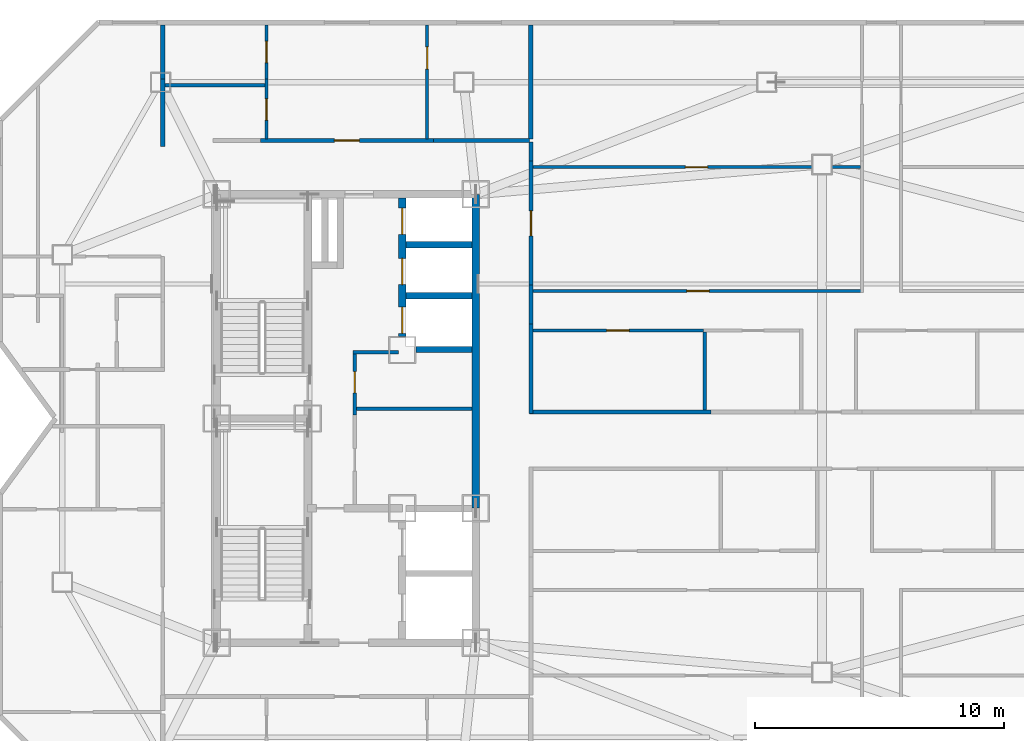
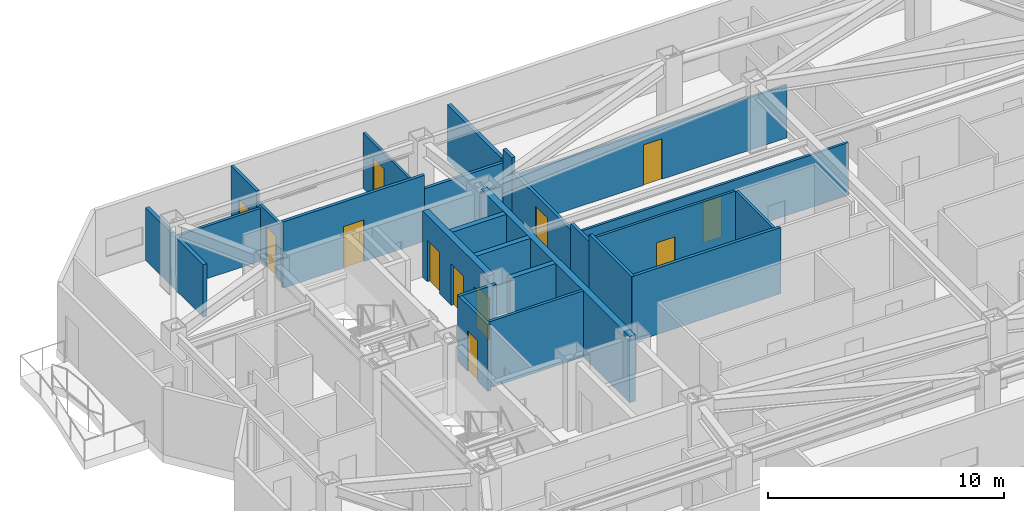
# One storey, part 6 of 10: 26 walls, 12 doors, 12 openings.
"""IFC4 building model written with IfcOpenShell, lengths in metres."""

import ifcopenshell
import ifcopenshell.guid

model = None  # the IFC model being written
_history = None  # IfcOwnerHistory: only IFC2X3 demands one
_inside = {}  # id of a spatial element -> (the spatial element, [elements in it])
_under = {}  # id of a project, library or spatial element -> (it, [spatial elements below it])
_declared = {}  # id of a project -> (the project, [libraries it declares])
_typed = {}  # id of a type object -> (the type object, [elements of that type])
_made_of = {}  # id of a material, layer set ... -> (it, [elements and type objects made of it])


def new_model(schema):
    """Start an empty IFC model of exactly this schema.

    Asked for "IFC4X3", IfcOpenShell would pick the latest addendum, in which some entities
    have other attributes; the version numbers below select the first issue.
    IFC2X3 requires an IfcOwnerHistory on every rooted entity: one is made here for all.
    """
    global model, _history
    if schema == "IFC4X3":
        model = ifcopenshell.file(schema_version=(4, 3, 0, 0))
    else:
        model = ifcopenshell.file(schema=schema)
    _inside.clear()
    _under.clear()
    _declared.clear()
    _typed.clear()
    _made_of.clear()
    _history = None
    if model.schema == "IFC2X3":
        org = make("IfcOrganization", Name="unknown")
        user = make(
            "IfcPersonAndOrganization",
            ThePerson=make("IfcPerson", FamilyName="unknown"),
            TheOrganization=org,
        )
        app = make(
            "IfcApplication",
            ApplicationDeveloper=org,
            Version="unknown",
            ApplicationFullName="unknown",
            ApplicationIdentifier="unknown",
        )
        _history = make(
            "IfcOwnerHistory",
            OwningUser=user,
            OwningApplication=app,
            ChangeAction="ADDED",
            CreationDate=0,
        )
    return model


def make(cls, **values):
    """One entity of the class cls with the attributes given. An attribute that is None is left unset."""
    return model.create_entity(
        cls, **{name: value for name, value in values.items() if value is not None}
    )


def rooted(cls, **values):
    """An entity with a GlobalId (a new one), such as an element, a storey or a relation."""
    return make(cls, GlobalId=ifcopenshell.guid.new(), OwnerHistory=_history, **values)


def si_unit(unit_type, name, prefix=None):
    """IfcSIUnit, for example si_unit("LENGTHUNIT", "METRE", prefix="MILLI")."""
    return make("IfcSIUnit", UnitType=unit_type, Prefix=prefix, Name=name)


def assignment(units):
    """IfcUnitAssignment: the units of a project."""
    return None if units is None else make("IfcUnitAssignment", Units=units)


def point(xyz):
    """IfcCartesianPoint."""
    return None if xyz is None else make("IfcCartesianPoint", Coordinates=xyz)


def direction(xyz):
    """IfcDirection."""
    return None if xyz is None else make("IfcDirection", DirectionRatios=xyz)


def frame(location, z_axis=None, x_axis=None):
    """IfcAxis2Placement3D, a coordinate frame: its origin and axes. An axis left out is left unset."""
    return make(
        "IfcAxis2Placement3D",
        Location=point(location),
        Axis=direction(z_axis),
        RefDirection=direction(x_axis),
    )


def frame_2d(location, x_axis=None):
    """IfcAxis2Placement2D, a coordinate frame in the plane: its origin and x axis."""
    return make(
        "IfcAxis2Placement2D", Location=point(location), RefDirection=direction(x_axis)
    )


def origin():
    """The frame at (0, 0, 0) with its axes left unset."""
    return frame((0.0, 0.0, 0.0))


def place(relative_to, where):
    """IfcLocalPlacement: puts the frame where relative to a parent placement (None: the world)."""
    return make(
        "IfcLocalPlacement", PlacementRelTo=relative_to, RelativePlacement=where
    )


def context(
    kind, dimensions, precision=None, world=None, true_north=None, identifier=None
):
    """IfcGeometricRepresentationContext, for example the 3D "Model" context."""
    return make(
        "IfcGeometricRepresentationContext",
        ContextIdentifier=identifier,
        ContextType=kind,
        CoordinateSpaceDimension=dimensions,
        Precision=precision,
        WorldCoordinateSystem=world,
        TrueNorth=true_north,
    )


def subcontext(parent, identifier, kind, view, scale=None):
    """IfcGeometricRepresentationSubContext, for example "Body" below "Model"."""
    return make(
        "IfcGeometricRepresentationSubContext",
        ContextIdentifier=identifier,
        ContextType=kind,
        ParentContext=parent,
        TargetScale=scale,
        TargetView=view,
    )


def project(units=None, contexts=None):
    """IfcProject with its units and contexts."""
    return rooted(
        "IfcProject",
        Name="project",
        RepresentationContexts=contexts,
        UnitsInContext=assignment(units),
    )


def spatial(cls, under=None, at=None, **own):
    """A site, building, storey or space (cls), placed at a placement, below another one or the project."""
    s = rooted(cls, ObjectPlacement=at, **own)
    if under is not None:
        _under.setdefault(under.id(), (under, []))[1].append(s)
    return s


def profile(cls, at=None, kind="AREA", **sizes):
    """A parametric profile (cls). Its sizes go by their IFC names, for example OverallWidth=200.0."""
    return make(cls, ProfileType=kind, Position=at, **sizes)


def rectangle(**sizes):
    """IfcRectangleProfileDef."""
    return profile("IfcRectangleProfileDef", **sizes)


def extrude(swept, where, along, depth):
    """IfcExtrudedAreaSolid: the profile swept, set in the frame where, extruded along a direction by depth."""
    return make(
        "IfcExtrudedAreaSolid",
        SweptArea=swept,
        Position=where,
        ExtrudedDirection=direction(along),
        Depth=depth,
    )


def shape(context_of_items, identifier, shape_type, items):
    """IfcShapeRepresentation: the items that make up one representation, for example the "Body"."""
    return make(
        "IfcShapeRepresentation",
        ContextOfItems=context_of_items,
        RepresentationIdentifier=identifier,
        RepresentationType=shape_type,
        Items=items,
    )


def material(Name=None, Category=None):
    """IfcMaterial."""
    return make("IfcMaterial", Name=Name, Category=Category)


def layer(
    of_material, thickness, ventilated=None, Name=None, Category=None, Priority=None
):
    """IfcMaterialLayer: one layer of a wall or slab, of a material (None: an air gap)."""
    return make(
        "IfcMaterialLayer",
        Material=of_material,
        LayerThickness=thickness,
        IsVentilated=ventilated,
        Name=Name,
        Category=Category,
        Priority=Priority,
    )


def layer_set(layers, Name=None):
    """IfcMaterialLayerSet."""
    return make("IfcMaterialLayerSet", MaterialLayers=layers, LayerSetName=Name)


def made_of(thing, what):
    """Note that an element or type object is made of a material, layer set ...; save() writes the relation."""
    if what is not None:
        _made_of.setdefault(what.id(), (what, []))[1].append(thing)
    return thing


def type_object(cls, material=None, **own):
    """A type object (cls), such as IfcWallType, which elements share."""
    return made_of(rooted(cls, **own), material)


def element(
    cls,
    number,
    at=None,
    inside=None,
    cuts=None,
    type_object=None,
    material=None,
    context=None,
    identifier="Body",
    shape_type=None,
    held_by="IfcProductDefinitionShape",
    body=None,
    shapes=None,
    **own,
):
    """One element of the class cls, such as IfcWall. Its Tag is "e" and its number.

    at: its placement. inside: the storey or other place that contains it. cuts: it is an
    opening in that element (IfcRelVoidsElement). A single representation is given by context,
    identifier, shape_type and body (its items); several are given by shapes. held_by: the class
    of the entity that holds the representations. save() writes the other relations.
    """
    e = rooted(cls, Tag="e%d" % number, ObjectPlacement=at, **own)
    if body is not None:
        shapes = [shape(context, identifier, shape_type, body)]
    if shapes is not None:
        e.Representation = make(held_by, Representations=shapes)
    if inside is not None:
        _inside.setdefault(inside.id(), (inside, []))[1].append(e)
    if cuts is not None:
        rooted(
            "IfcRelVoidsElement", RelatingBuildingElement=cuts, RelatedOpeningElement=e
        )
    if type_object is not None:
        _typed.setdefault(type_object.id(), (type_object, []))[1].append(e)
    return made_of(e, material)


def fill(opening, filler):
    """IfcRelFillsElement: the door or window that sits in an opening."""
    return rooted(
        "IfcRelFillsElement",
        RelatingOpeningElement=opening,
        RelatedBuildingElement=filler,
    )


def aggregate(whole, parts):
    """IfcRelAggregates: a whole, such as a stair, and the parts it consists of."""
    return rooted("IfcRelAggregates", RelatingObject=whole, RelatedObjects=parts)


def save(model, path):
    """Write the relations noted so far, then the file.

    IfcRelAggregates (storeys below a building ...), IfcRelContainedInSpatialStructure (elements
    in a storey), IfcRelDefinesByType, IfcRelAssociatesMaterial and IfcRelDeclares: one each for
    every whole, place, type object, material and project.
    """
    for whole, parts in _under.values():
        aggregate(whole, parts)
    for where, things in _inside.values():
        rooted(
            "IfcRelContainedInSpatialStructure",
            RelatedElements=things,
            RelatingStructure=where,
        )
    for kind, things in _typed.values():
        rooted("IfcRelDefinesByType", RelatedObjects=things, RelatingType=kind)
    for what, things in _made_of.values():
        rooted("IfcRelAssociatesMaterial", RelatedObjects=things, RelatingMaterial=what)
    for by, libraries in _declared.values():
        rooted("IfcRelDeclares", RelatingContext=by, RelatedDefinitions=libraries)
    model.write(path)


model = new_model("IFC4")

# Units and contexts
model_context = context("Model", 3, precision=1e-05, world=origin(), true_north=direction((0.0, 1.0)))
body_context = subcontext(model_context, "Body", "Model", "MODEL_VIEW")
ifc_project = project(units=[si_unit("LENGTHUNIT", "METRE"), si_unit("AREAUNIT", "SQUARE_METRE"), si_unit("VOLUMEUNIT", "CUBIC_METRE"), si_unit("PLANEANGLEUNIT", "RADIAN"), si_unit("MASSUNIT", "GRAM", prefix="KILO")], contexts=[model_context])

# Site, building, storey
site_placement = place(None, origin())
site = spatial("IfcSite", under=ifc_project, at=site_placement, CompositionType="ELEMENT")
building_placement = place(site_placement, origin())
building = spatial("IfcBuilding", under=site, at=building_placement, Name="Khamvora Tower", CompositionType="ELEMENT")
storey_placement = place(building_placement, frame((0.0, 0.0, 217.199951171875)))
storey = spatial("IfcBuildingStorey", under=building, at=storey_placement, Name="L55", CompositionType="ELEMENT", Elevation=217.199951171875)

# Wall
ifc_material_1 = material(Name="Concrete C50/60", Category="concrete")
ifc_layer_1 = layer(ifc_material_1, 0.300048828125)
ifc_layer_set_1 = layer_set([ifc_layer_1], Name="Concrete C50/60")
wall_type_1 = type_object("IfcWallType", Name="WAL-CORE-300", PredefinedType="SHEAR", material=ifc_layer_set_1)
wall_1_placement = place(storey_placement, frame((39.39990234375, 24.39990234375, 0.0), z_axis=(0.0, 0.0, 1.0), x_axis=(0.0, 1.0, 0.0)))
element("IfcWall", 1, at=wall_1_placement, inside=storey, type_object=wall_type_1, Name="L55 central core east north wall", PredefinedType="SHEAR", context=body_context, shape_type="SweptSolid", body=[
    extrude(rectangle(XDim=12.60009765625, YDim=0.300048828125, at=frame_2d((6.300048828125, 0.0))), origin(), (0.0, 0.0, 1.0), 3.429931640625),
])

# Wall, openings, doors
wall_2_placement = place(storey_placement, frame((36.449951171875, 31.300048828125, 0.0), z_axis=(0.0, 0.0, 1.0), x_axis=(0.0, 1.0, 0.0)))
wall_2 = element("IfcWall", 2, at=wall_2_placement, inside=storey, type_object=wall_type_1, Name="L55 central core lift bank central wall", PredefinedType="SHEAR", context=body_context, shape_type="SweptSolid", body=[
    extrude(rectangle(XDim=5.5458984375, YDim=0.300048828125, at=frame_2d((2.77294921875, 0.0))), origin(), (0.0, 0.0, 1.0), 3.429931640625),
])
opening_1_placement = place(wall_2_placement, frame((0.1201171875, 0.0, 0.0)))
opening_1 = element("IfcOpeningElement", 3, at=opening_1_placement, cuts=wall_2, Name="Opening LD-PL", PredefinedType="OPENING", context=body_context, shape_type="SweptSolid", body=[
    extrude(rectangle(XDim=1.050048828125, YDim=2.14990234375, at=frame_2d((0.52490234375, 1.074951171875))), frame((0.0, 0.159912109375, 0.0), z_axis=(0.0, -1.0, 0.0), x_axis=(1.0, 0.0, 0.0)), (0.0, 0.0, 1.0), 0.320068359375),
])
opening_2_placement = place(wall_2_placement, frame((2.074951171875, 0.0, 0.0)))
opening_2 = element("IfcOpeningElement", 4, at=opening_2_placement, cuts=wall_2, Name="Opening LD-PL", PredefinedType="OPENING", context=body_context, shape_type="SweptSolid", body=[
    extrude(rectangle(XDim=1.050048828125, YDim=2.14990234375, at=frame_2d((0.52490234375, 1.074951171875))), frame((0.0, 0.159912109375, 0.0), z_axis=(0.0, -1.0, 0.0), x_axis=(1.0, 0.0, 0.0)), (0.0, 0.0, 1.0), 0.320068359375),
])
opening_3_placement = place(wall_2_placement, frame((4.094970703125, 0.0, 0.0)))
opening_3 = element("IfcOpeningElement", 5, at=opening_3_placement, cuts=wall_2, Name="Opening LD-PL", PredefinedType="OPENING", context=body_context, shape_type="SweptSolid", body=[
    extrude(rectangle(XDim=1.050048828125, YDim=2.14990234375, at=frame_2d((0.52490234375, 1.074951171875))), frame((0.0, 0.159912109375, 0.0), z_axis=(0.0, -1.0, 0.0), x_axis=(1.0, 0.0, 0.0)), (0.0, 0.0, 1.0), 0.320068359375),
])
ifc_material_2 = material(Name="Powder-Coated Steel and Hardwood Leaf", Category="steel")
door_type_1 = type_object("IfcDoorType", Name="DOR-LIFT-1050", OperationType="SLIDING_TO_LEFT", PredefinedType="DOOR", material=ifc_material_2)
door_1_placement = place(opening_1_placement, origin())
door_1 = element("IfcDoor", 6, at=door_1_placement, inside=storey, type_object=door_type_1, Name="L55 lift landing sliding door PH-01", OperationType="SLIDING_TO_LEFT", OverallHeight=2.14990234375, OverallWidth=1.050048828125, PredefinedType="DOOR", context=body_context, shape_type="SweptSolid", body=[
    extrude(rectangle(XDim=1.050048828125, YDim=2.14990234375, at=frame_2d((0.52490234375, 1.074951171875))), frame((0.0, 0.02490234375, 0.0), z_axis=(0.0, -1.0, 0.0), x_axis=(1.0, 0.0, 0.0)), (0.0, 0.0, 1.0), 0.050048828125),
])
fill(opening_1, door_1)
door_2_placement = place(opening_2_placement, origin())
door_2 = element("IfcDoor", 7, at=door_2_placement, inside=storey, type_object=door_type_1, Name="L55 lift landing sliding door PH-02", OperationType="SLIDING_TO_LEFT", OverallHeight=2.14990234375, OverallWidth=1.050048828125, PredefinedType="DOOR", context=body_context, shape_type="SweptSolid", body=[
    extrude(rectangle(XDim=1.050048828125, YDim=2.14990234375, at=frame_2d((0.52490234375, 1.074951171875))), frame((0.0, 0.02490234375, 0.0), z_axis=(0.0, -1.0, 0.0), x_axis=(1.0, 0.0, 0.0)), (0.0, 0.0, 1.0), 0.050048828125),
])
fill(opening_2, door_2)
door_3_placement = place(opening_3_placement, origin())
door_3 = element("IfcDoor", 8, at=door_3_placement, inside=storey, type_object=door_type_1, Name="L55 lift landing sliding door PH-03", OperationType="SLIDING_TO_LEFT", OverallHeight=2.14990234375, OverallWidth=1.050048828125, PredefinedType="DOOR", context=body_context, shape_type="SweptSolid", body=[
    extrude(rectangle(XDim=1.050048828125, YDim=2.14990234375, at=frame_2d((0.52490234375, 1.074951171875))), frame((0.0, 0.02490234375, 0.0), z_axis=(0.0, -1.0, 0.0), x_axis=(1.0, 0.0, 0.0)), (0.0, 0.0, 1.0), 0.050048828125),
])
fill(opening_3, door_3)

# Wall
ifc_material_3 = material(Name="Fire-Rated Drywall and Steel Stud", Category="steel")
ifc_layer_2 = layer(ifc_material_3, 0.14990234375)
ifc_layer_set_2 = layer_set([ifc_layer_2], Name="Fire-Rated Drywall and Steel Stud")
wall_type_2 = type_object("IfcWallType", Name="WAL-CORR-150", PredefinedType="STANDARD", material=ifc_layer_set_2)
wall_3_placement = place(storey_placement, frame((36.300048828125, 30.6650390625, 0.0), z_axis=(0.0, 0.0, 1.0), x_axis=(-1.0, 0.0, 0.0)))
element("IfcWall", 9, at=wall_3_placement, inside=storey, type_object=wall_type_2, Name="L55 interior partition wall 001", PredefinedType="STANDARD", context=body_context, shape_type="SweptSolid", body=[
    extrude(rectangle(XDim=1.820068359375, YDim=0.14990234375, at=frame_2d((0.91015625, 0.0))), origin(), (0.0, 0.0, 1.0), 3.429931640625),
])

# Wall, opening, door
wall_4_placement = place(storey_placement, frame((34.544921875, 30.72998046875, 0.0), z_axis=(0.0, 0.0, 1.0), x_axis=(0.0, -1.0, 0.0)))
wall_4 = element("IfcWall", 10, at=wall_4_placement, inside=storey, type_object=wall_type_2, Name="L55 interior partition wall 002", PredefinedType="STANDARD", context=body_context, shape_type="SweptSolid", body=[
    extrude(rectangle(XDim=2.593994140625, YDim=0.14990234375, at=frame_2d((1.296875, 0.0))), origin(), (0.0, 0.0, 1.0), 3.429931640625),
])
opening_4_placement = place(wall_4_placement, frame((0.85107421875, 0.0, 0.0)))
opening_4 = element("IfcOpeningElement", 11, at=opening_4_placement, cuts=wall_4, Name="Opening D-WC1", PredefinedType="OPENING", context=body_context, shape_type="SweptSolid", body=[
    extrude(rectangle(XDim=0.85009765625, YDim=2.10009765625, at=frame_2d((0.425048828125, 1.050048828125))), frame((0.0, 0.0849609375, 0.0), z_axis=(0.0, -1.0, 0.0), x_axis=(1.0, 0.0, 0.0)), (0.0, 0.0, 1.0), 0.169921875),
])
door_type_2 = type_object("IfcDoorType", Name="DOR-WET-850", OperationType="NOTDEFINED", PredefinedType="DOOR", material=ifc_material_2)
door_4_placement = place(opening_4_placement, origin())
door_4 = element("IfcDoor", 12, at=door_4_placement, inside=storey, type_object=door_type_2, Name="L55 interior door PHL-CS1", OperationType="SINGLE_SWING_LEFT", OverallHeight=2.10009765625, OverallWidth=0.85009765625, PredefinedType="DOOR", context=body_context, shape_type="SweptSolid", body=[
    extrude(rectangle(XDim=0.85009765625, YDim=2.10009765625, at=frame_2d((0.425048828125, 1.050048828125))), frame((0.0, 0.02490234375, 0.0), z_axis=(0.0, -1.0, 0.0), x_axis=(1.0, 0.0, 0.0)), (0.0, 0.0, 1.0), 0.050048828125),
])
fill(opening_4, door_4)

wall_5_placement = place(storey_placement, frame((30.7509765625, 39.1650390625, 0.0), z_axis=(0.0, 0.0, 1.0), x_axis=(1.0, 0.0, 0.0)))
wall_5 = element("IfcWall", 13, at=wall_5_placement, inside=storey, type_object=wall_type_2, Name="L55 interior partition wall 015", PredefinedType="STANDARD", context=body_context, shape_type="SweptSolid", body=[
    extrude(rectangle(XDim=6.947998046875, YDim=0.14990234375, at=frame_2d((3.47412109375, 0.0))), origin(), (0.0, 0.0, 1.0), 3.429931640625),
])
opening_5_placement = place(wall_5_placement, frame((2.97412109375, 0.0, 0.0)))
opening_5 = element("IfcOpeningElement", 14, at=opening_5_placement, cuts=wall_5, Name="Opening D-U1", PredefinedType="OPENING", context=body_context, shape_type="SweptSolid", body=[
    extrude(rectangle(XDim=1.0, YDim=2.14990234375, at=frame_2d((0.5, 1.074951171875))), frame((0.0, 0.0849609375, 0.0), z_axis=(0.0, -1.0, 0.0), x_axis=(1.0, 0.0, 0.0)), (0.0, 0.0, 1.0), 0.169921875),
])
door_type_3 = type_object("IfcDoorType", Name="DOR-UNIT-1000", OperationType="NOTDEFINED", PredefinedType="DOOR", material=ifc_material_2)
door_5_placement = place(opening_5_placement, origin())
door_5 = element("IfcDoor", 15, at=door_5_placement, inside=storey, type_object=door_type_3, Name="L55 interior door COR-55NAH", OperationType="SINGLE_SWING_LEFT", OverallHeight=2.14990234375, OverallWidth=1.0, PredefinedType="DOOR", context=body_context, shape_type="SweptSolid", body=[
    extrude(rectangle(XDim=1.0, YDim=2.14990234375, at=frame_2d((0.5, 1.074951171875))), frame((0.0, 0.02490234375, 0.0), z_axis=(0.0, -1.0, 0.0), x_axis=(1.0, 0.0, 0.0)), (0.0, 0.0, 1.0), 0.050048828125),
])
fill(opening_5, door_5)

# Walls
wall_6_placement = place(storey_placement, frame((37.698974609375, 39.1650390625, 0.0), z_axis=(0.0, 0.0, 1.0), x_axis=(1.0, 0.0, 0.0)))
element("IfcWall", 16, at=wall_6_placement, inside=storey, type_object=wall_type_2, Name="L55 interior partition wall 017", PredefinedType="STANDARD", context=body_context, shape_type="SweptSolid", body=[
    extrude(rectangle(XDim=3.85107421875, YDim=0.14990234375, at=frame_2d((1.925537109375, 0.0))), origin(), (0.0, 0.0, 1.0), 2.72509765625),
])
wall_7_placement = place(storey_placement, frame((41.614990234375, 31.784912109375, 0.0), z_axis=(0.0, 0.0, 1.0), x_axis=(0.0, -1.0, 0.0)))
element("IfcWall", 17, at=wall_7_placement, inside=storey, type_object=wall_type_2, Name="L55 interior partition wall 027", PredefinedType="STANDARD", context=body_context, shape_type="SweptSolid", body=[
    extrude(rectangle(XDim=3.5849609375, YDim=0.14990234375, at=frame_2d((1.79248046875, 0.0))), origin(), (0.0, 0.0, 1.0), 3.429931640625),
])
wall_8_placement = place(storey_placement, frame((41.550048828125, 28.264892578125, 0.0), z_axis=(0.0, 0.0, 1.0), x_axis=(1.0, 0.0, 0.0)))
element("IfcWall", 18, at=wall_8_placement, inside=storey, type_object=wall_type_2, Name="L55 interior partition wall 028", PredefinedType="STANDARD", context=body_context, shape_type="SweptSolid", body=[
    extrude(rectangle(XDim=7.300048828125, YDim=0.14990234375, at=frame_2d((3.64990234375, 0.0))), origin(), (0.0, 0.0, 1.0), 3.429931640625),
])
wall_9_placement = place(storey_placement, frame((41.614990234375, 33.364990234375, 0.0), z_axis=(0.0, 0.0, 1.0), x_axis=(0.0, -1.0, 0.0)))
element("IfcWall", 19, at=wall_9_placement, inside=storey, type_object=wall_type_2, Name="L55 interior partition wall 030", PredefinedType="STANDARD", context=body_context, shape_type="SweptSolid", body=[
    extrude(rectangle(XDim=1.580078125, YDim=0.14990234375, at=frame_2d((0.7900390625, 0.0))), origin(), (0.0, 0.0, 1.0), 3.06494140625),
])

# Wall, opening, door
wall_10_placement = place(storey_placement, frame((41.614990234375, 38.342041015625, 0.0), z_axis=(0.0, 0.0, 1.0), x_axis=(0.0, -1.0, 0.0)))
wall_10 = element("IfcWall", 20, at=wall_10_placement, inside=storey, type_object=wall_type_2, Name="L55 interior partition wall 034", PredefinedType="STANDARD", context=body_context, shape_type="SweptSolid", body=[
    extrude(rectangle(XDim=4.97705078125, YDim=0.14990234375, at=frame_2d((2.488525390625, 0.0))), origin(), (0.0, 0.0, 1.0), 2.72509765625),
])
opening_6_placement = place(wall_10_placement, frame((2.010009765625, 0.0, 0.0)))
opening_6 = element("IfcOpeningElement", 21, at=opening_6_placement, cuts=wall_10, Name="Opening D-U1", PredefinedType="OPENING", context=body_context, shape_type="SweptSolid", body=[
    extrude(rectangle(XDim=1.0, YDim=2.14990234375, at=frame_2d((0.5, 1.074951171875))), frame((0.0, 0.0849609375, 0.0), z_axis=(0.0, -1.0, 0.0), x_axis=(1.0, 0.0, 0.0)), (0.0, 0.0, 1.0), 0.169921875),
])
door_6_placement = place(opening_6_placement, origin())
door_6 = element("IfcDoor", 22, at=door_6_placement, inside=storey, type_object=door_type_3, Name="L55 interior door COR-55EBR1", OperationType="SINGLE_SWING_RIGHT", OverallHeight=2.14990234375, OverallWidth=1.0, PredefinedType="DOOR", context=body_context, shape_type="SweptSolid", body=[
    extrude(rectangle(XDim=1.0, YDim=2.14990234375, at=frame_2d((0.5, 1.074951171875))), frame((0.0, 0.02490234375, 0.0), z_axis=(0.0, -1.0, 0.0), x_axis=(1.0, 0.0, 0.0)), (0.0, 0.0, 1.0), 0.050048828125),
])
fill(opening_6, door_6)

# Walls
wall_11_placement = place(storey_placement, frame((41.614990234375, 39.10009765625, 0.0), z_axis=(0.0, 0.0, 1.0), x_axis=(0.0, -1.0, 0.0)))
element("IfcWall", 23, at=wall_11_placement, inside=storey, type_object=wall_type_2, Name="L55 interior partition wall 035", PredefinedType="STANDARD", context=body_context, shape_type="SweptSolid", body=[
    extrude(rectangle(XDim=0.758056640625, YDim=0.14990234375, at=frame_2d((0.37890625, 0.0))), origin(), (0.0, 0.0, 1.0), 3.429931640625),
])
ifc_material_4 = material(Name="Acoustic Double-Stud Fire Wall", Category="gypsum")
ifc_layer_3 = layer(ifc_material_4, 0.179931640625)
ifc_layer_set_3 = layer_set([ifc_layer_3], Name="Acoustic Double-Stud Fire Wall")
wall_type_3 = type_object("IfcWallType", Name="WAL-CORR-180", PredefinedType="STANDARD", material=ifc_layer_set_3)
wall_12_placement = place(storey_placement, frame((26.8349609375, 41.62890625, 0.0), z_axis=(0.0, 0.0, 1.0), x_axis=(0.0, -1.0, 0.0)))
element("IfcWall", 24, at=wall_12_placement, inside=storey, type_object=wall_type_3, Name="L55 interior partition wall 049", PredefinedType="STANDARD", context=body_context, shape_type="SweptSolid", body=[
    extrude(rectangle(XDim=2.712890625, YDim=0.179931640625, at=frame_2d((1.3564453125, 0.0))), origin(), (0.0, 0.0, 1.0), 2.72509765625),
])
wall_13_placement = place(storey_placement, frame((26.8349609375, 43.80810546875, 0.0), z_axis=(0.0, 0.0, 1.0), x_axis=(0.0, -1.0, 0.0)))
element("IfcWall", 25, at=wall_13_placement, inside=storey, type_object=wall_type_3, Name="L55 interior partition wall 050", PredefinedType="STANDARD", context=body_context, shape_type="SweptSolid", body=[
    extrude(rectangle(XDim=2.17919921875, YDim=0.179931640625, at=frame_2d((1.089599609375, 0.0))), origin(), (0.0, 0.0, 1.0), 2.72509765625),
])
wall_14_placement = place(storey_placement, frame((41.614990234375, 43.80810546875, 0.0), z_axis=(0.0, 0.0, 1.0), x_axis=(0.0, -1.0, 0.0)))
element("IfcWall", 26, at=wall_14_placement, inside=storey, type_object=wall_type_3, Name="L55 interior partition wall 060", PredefinedType="STANDARD", context=body_context, shape_type="SweptSolid", body=[
    extrude(rectangle(XDim=4.578125, YDim=0.179931640625, at=frame_2d((2.2890625, 0.0))), origin(), (0.0, 0.0, 1.0), 2.886962890625),
])

# Wall, opening, door
ifc_material_5 = material(Name="Gypsum Plasterboard Partition", Category="gypsum")
ifc_layer_4 = layer(ifc_material_5, 0.1201171875)
ifc_layer_set_4 = layer_set([ifc_layer_4], Name="Gypsum Plasterboard Partition")
wall_type_4 = type_object("IfcWallType", Name="WAL-PART-120", PredefinedType="PARTITIONING", material=ifc_layer_set_4)
wall_15_placement = place(storey_placement, frame((37.449951171875, 43.80810546875, 0.0), z_axis=(0.0, 0.0, 1.0), x_axis=(0.0, -1.0, 0.0)))
wall_15 = element("IfcWall", 27, at=wall_15_placement, inside=storey, type_object=wall_type_4, Name="L55 interior partition wall 058", PredefinedType="PARTITIONING", context=body_context, shape_type="SweptSolid", body=[
    extrude(rectangle(XDim=4.576171875, YDim=0.1201171875, at=frame_2d((2.2880859375, 0.0))), origin(), (0.0, 0.0, 1.0), 2.886962890625),
])
opening_7_placement = place(wall_15_placement, frame((0.884033203125, 0.0, 0.0)))
opening_7 = element("IfcOpeningElement", 28, at=opening_7_placement, cuts=wall_15, Name="Opening D-RM1", PredefinedType="OPENING", context=body_context, shape_type="SweptSolid", body=[
    extrude(rectangle(XDim=0.89990234375, YDim=2.10009765625, at=frame_2d((0.449951171875, 1.050048828125))), frame((0.0, 0.070068359375, 0.0), z_axis=(0.0, -1.0, 0.0), x_axis=(1.0, 0.0, 0.0)), (0.0, 0.0, 1.0), 0.14013671875),
])
door_type_4 = type_object("IfcDoorType", Name="DOR-ROOM-900", OperationType="NOTDEFINED", PredefinedType="DOOR", material=ifc_material_2)
door_7_placement = place(opening_7_placement, origin())
door_7 = element("IfcDoor", 29, at=door_7_placement, inside=storey, type_object=door_type_4, Name="L55 interior door 55NAH-55NAR1", OperationType="SINGLE_SWING_RIGHT", OverallHeight=2.10009765625, OverallWidth=0.89990234375, PredefinedType="DOOR", context=body_context, shape_type="SweptSolid", body=[
    extrude(rectangle(XDim=0.89990234375, YDim=2.10009765625, at=frame_2d((0.449951171875, 1.050048828125))), frame((0.0, 0.02490234375, 0.0), z_axis=(0.0, -1.0, 0.0), x_axis=(1.0, 0.0, 0.0)), (0.0, 0.0, 1.0), 0.050048828125),
])
fill(opening_7, door_7)

wall_16_placement = place(storey_placement, frame((41.681884765625, 31.535888671875, 0.0), z_axis=(0.0, 0.0, 1.0), x_axis=(1.0, 0.0, 0.0)))
wall_16 = element("IfcWall", 30, at=wall_16_placement, inside=storey, type_object=wall_type_4, Name="L55 interior partition wall 077", PredefinedType="PARTITIONING", context=body_context, shape_type="SweptSolid", body=[
    extrude(rectangle(XDim=6.85400390625, YDim=0.1201171875, at=frame_2d((3.427001953125, 0.0))), origin(), (0.0, 0.0, 1.0), 3.429931640625),
])
opening_8_placement = place(wall_16_placement, frame((2.97705078125, 0.0, 0.0)))
opening_8 = element("IfcOpeningElement", 31, at=opening_8_placement, cuts=wall_16, Name="Opening D-RM1", PredefinedType="OPENING", context=body_context, shape_type="SweptSolid", body=[
    extrude(rectangle(XDim=0.89990234375, YDim=2.10009765625, at=frame_2d((0.449951171875, 1.050048828125))), frame((0.0, 0.070068359375, 0.0), z_axis=(0.0, -1.0, 0.0), x_axis=(1.0, 0.0, 0.0)), (0.0, 0.0, 1.0), 0.14013671875),
])
door_8_placement = place(opening_8_placement, origin())
door_8 = element("IfcDoor", 32, at=door_8_placement, inside=storey, type_object=door_type_4, Name="L55 interior door 55EBW1-55EBH", OperationType="SINGLE_SWING_LEFT", OverallHeight=2.10009765625, OverallWidth=0.89990234375, PredefinedType="DOOR", context=body_context, shape_type="SweptSolid", body=[
    extrude(rectangle(XDim=0.89990234375, YDim=2.10009765625, at=frame_2d((0.449951171875, 1.050048828125))), frame((0.0, 0.02490234375, 0.0), z_axis=(0.0, -1.0, 0.0), x_axis=(1.0, 0.0, 0.0)), (0.0, 0.0, 1.0), 0.050048828125),
])
fill(opening_8, door_8)

wall_17_placement = place(storey_placement, frame((41.681884765625, 33.115966796875, 0.0), z_axis=(0.0, 0.0, 1.0), x_axis=(1.0, 0.0, 0.0)))
wall_17 = element("IfcWall", 33, at=wall_17_placement, inside=storey, type_object=wall_type_4, Name="L55 interior partition wall 085", PredefinedType="PARTITIONING", context=body_context, shape_type="SweptSolid", body=[
    extrude(rectangle(XDim=13.283203125, YDim=0.1201171875, at=frame_2d((6.6416015625, 0.0))), origin(), (0.0, 0.0, 1.0), 2.72509765625),
])
opening_9_placement = place(wall_17_placement, frame((6.19091796875, 0.0, 0.0)))
opening_9 = element("IfcOpeningElement", 34, at=opening_9_placement, cuts=wall_17, Name="Opening D-RM1", PredefinedType="OPENING", context=body_context, shape_type="SweptSolid", body=[
    extrude(rectangle(XDim=0.89990234375, YDim=2.10009765625, at=frame_2d((0.449951171875, 1.050048828125))), frame((0.0, 0.070068359375, 0.0), z_axis=(0.0, -1.0, 0.0), x_axis=(1.0, 0.0, 0.0)), (0.0, 0.0, 1.0), 0.14013671875),
])
door_9_placement = place(opening_9_placement, origin())
door_9 = element("IfcDoor", 35, at=door_9_placement, inside=storey, type_object=door_type_4, Name="L55 interior door 55EBH-55EBR1", OperationType="SINGLE_SWING_LEFT", OverallHeight=2.10009765625, OverallWidth=0.89990234375, PredefinedType="DOOR", context=body_context, shape_type="SweptSolid", body=[
    extrude(rectangle(XDim=0.89990234375, YDim=2.10009765625, at=frame_2d((0.449951171875, 1.050048828125))), frame((0.0, 0.02490234375, 0.0), z_axis=(0.0, -1.0, 0.0), x_axis=(1.0, 0.0, 0.0)), (0.0, 0.0, 1.0), 0.050048828125),
])
fill(opening_9, door_9)

wall_18_placement = place(storey_placement, frame((41.681884765625, 38.093017578125, 0.0), z_axis=(0.0, 0.0, 1.0), x_axis=(1.0, 0.0, 0.0)))
wall_18 = element("IfcWall", 36, at=wall_18_placement, inside=storey, type_object=wall_type_4, Name="L55 interior partition wall 091", PredefinedType="PARTITIONING", context=body_context, shape_type="SweptSolid", body=[
    extrude(rectangle(XDim=13.1640625, YDim=0.1201171875, at=frame_2d((6.58203125, 0.0))), origin(), (0.0, 0.0, 1.0), 2.72509765625),
])
opening_10_placement = place(wall_18_placement, frame((6.132080078125, 0.0, 0.0)))
opening_10 = element("IfcOpeningElement", 37, at=opening_10_placement, cuts=wall_18, Name="Opening D-RM1", PredefinedType="OPENING", context=body_context, shape_type="SweptSolid", body=[
    extrude(rectangle(XDim=0.89990234375, YDim=2.10009765625, at=frame_2d((0.449951171875, 1.050048828125))), frame((0.0, 0.070068359375, 0.0), z_axis=(0.0, -1.0, 0.0), x_axis=(1.0, 0.0, 0.0)), (0.0, 0.0, 1.0), 0.14013671875),
])
door_10_placement = place(opening_10_placement, origin())
door_10 = element("IfcDoor", 38, at=door_10_placement, inside=storey, type_object=door_type_4, Name="L55 interior door 55EBR1-55EBR2", OperationType="SINGLE_SWING_LEFT", OverallHeight=2.10009765625, OverallWidth=0.89990234375, PredefinedType="DOOR", context=body_context, shape_type="SweptSolid", body=[
    extrude(rectangle(XDim=0.89990234375, YDim=2.10009765625, at=frame_2d((0.449951171875, 1.050048828125))), frame((0.0, 0.02490234375, 0.0), z_axis=(0.0, -1.0, 0.0), x_axis=(1.0, 0.0, 0.0)), (0.0, 0.0, 1.0), 0.050048828125),
])
fill(opening_10, door_10)

# Walls
ifc_material_6 = material(Name="Concrete C40/50", Category="concrete")
ifc_layer_5 = layer(ifc_material_6, 0.25)
ifc_layer_set_5 = layer_set([ifc_layer_5], Name="Concrete C40/50")
wall_type_5 = type_object("IfcWallType", Name="WAL-PODS-250", PredefinedType="SHEAR", material=ifc_layer_set_5)
wall_19_placement = place(storey_placement, frame((37.00390625, 30.77490234375, 0.0), z_axis=(0.0, 0.0, 1.0), x_axis=(1.0, 0.0, 0.0)))
element("IfcWall", 39, at=wall_19_placement, inside=storey, type_object=wall_type_5, Name="L55 high-rise lift shaft south enclosure wall PH-01", PredefinedType="SHEAR", context=body_context, shape_type="SweptSolid", body=[
    extrude(rectangle(XDim=2.2421875, YDim=0.25, at=frame_2d((1.12109375, 0.0))), origin(), (0.0, 0.0, 1.0), 3.429931640625),
])
for number, where, z_axis, x_axis, name in (
    (40, (36.60400390625, 32.925048828125, 0.0), (0.0, 0.0, 1.0), (1.0, 0.0, 0.0), "L55 lift shaft divider wall PH-01"),
    (41, (36.60400390625, 34.97509765625, 0.0), (0.0, 0.0, 1.0), (1.0, 0.0, 0.0), "L55 lift shaft divider wall PH-02"),
):
    element("IfcWall", number, at=place(storey_placement, frame(where, z_axis=z_axis, x_axis=x_axis)), inside=storey, type_object=wall_type_5, Name=name, PredefinedType="SHEAR", context=body_context, shape_type="SweptSolid", body=[
        extrude(rectangle(XDim=2.64208984375, YDim=0.25, at=frame_2d((1.321044921875, 0.0))), origin(), (0.0, 0.0, 1.0), 3.429931640625),
    ])
ifc_material_7 = material(Name="Moisture-Resistant Plasterboard Partition", Category="gypsum")
ifc_layer_6 = layer(ifc_material_7, 0.135009765625)
ifc_layer_set_6 = layer_set([ifc_layer_6], Name="Moisture-Resistant Plasterboard Partition")
wall_type_6 = type_object("IfcWallType", Name="WAL-WET-135", PredefinedType="PARTITIONING", material=ifc_layer_set_6)
wall_20_placement = place(storey_placement, frame((39.256103515625, 28.385009765625, 0.0), z_axis=(0.0, 0.0, 1.0), x_axis=(-1.0, 0.0, 0.0)))
element("IfcWall", 42, at=wall_20_placement, inside=storey, type_object=wall_type_6, Name="L55 interior partition wall 004", PredefinedType="PARTITIONING", context=body_context, shape_type="SweptSolid", body=[
    extrude(rectangle(XDim=4.64404296875, YDim=0.135009765625, at=frame_2d((2.322021484375, 0.0))), origin(), (0.0, 0.0, 1.0), 3.429931640625),
])

# Wall, opening, door
wall_21_placement = place(storey_placement, frame((31.0, 39.23193359375, 0.0), z_axis=(0.0, 0.0, 1.0), x_axis=(0.0, 1.0, 0.0)))
wall_21 = element("IfcWall", 43, at=wall_21_placement, inside=storey, type_object=wall_type_6, Name="L55 interior partition wall 056", PredefinedType="PARTITIONING", context=body_context, shape_type="SweptSolid", body=[
    extrude(rectangle(XDim=2.39697265625, YDim=0.135009765625, at=frame_2d((1.198486328125, 0.0))), origin(), (0.0, 0.0, 1.0), 2.886962890625),
])
opening_11_placement = place(wall_21_placement, frame((0.751953125, 0.0, 0.0)))
opening_11 = element("IfcOpeningElement", 44, at=opening_11_placement, cuts=wall_21, Name="Opening D-WC1", PredefinedType="OPENING", context=body_context, shape_type="SweptSolid", body=[
    extrude(rectangle(XDim=0.85009765625, YDim=2.10009765625, at=frame_2d((0.425048828125, 1.050048828125))), frame((0.0, 0.077392578125, 0.0), z_axis=(0.0, -1.0, 0.0), x_axis=(1.0, 0.0, 0.0)), (0.0, 0.0, 1.0), 0.155029296875),
])
door_11_placement = place(opening_11_placement, origin())
door_11 = element("IfcDoor", 45, at=door_11_placement, inside=storey, type_object=door_type_2, Name="L55 interior door 55NAH-55NAB", OperationType="SINGLE_SWING_LEFT", OverallHeight=2.10009765625, OverallWidth=0.85009765625, PredefinedType="DOOR", context=body_context, shape_type="SweptSolid", body=[
    extrude(rectangle(XDim=0.85009765625, YDim=2.10009765625, at=frame_2d((0.425048828125, 1.050048828125))), frame((0.0, 0.02490234375, 0.0), z_axis=(0.0, -1.0, 0.0), x_axis=(1.0, 0.0, 0.0)), (0.0, 0.0, 1.0), 0.050048828125),
])
fill(opening_11, door_11)

wall_22_placement = place(storey_placement, frame((31.0, 41.62890625, 0.0), z_axis=(0.0, 0.0, 1.0), x_axis=(0.0, 1.0, 0.0)))
wall_22 = element("IfcWall", 46, at=wall_22_placement, inside=storey, type_object=wall_type_6, Name="L55 interior partition wall 057", PredefinedType="PARTITIONING", context=body_context, shape_type="SweptSolid", body=[
    extrude(rectangle(XDim=2.17919921875, YDim=0.135009765625, at=frame_2d((1.089599609375, 0.0))), origin(), (0.0, 0.0, 1.0), 3.429931640625),
])
opening_12_placement = place(wall_22_placement, frame((0.6640625, 0.0, 0.0)))
opening_12 = element("IfcOpeningElement", 47, at=opening_12_placement, cuts=wall_22, Name="Opening D-RM2", PredefinedType="OPENING", context=body_context, shape_type="SweptSolid", body=[
    extrude(rectangle(XDim=0.85009765625, YDim=2.10009765625, at=frame_2d((0.425048828125, 1.050048828125))), frame((0.0, 0.077392578125, 0.0), z_axis=(0.0, -1.0, 0.0), x_axis=(1.0, 0.0, 0.0)), (0.0, 0.0, 1.0), 0.155029296875),
])
door_type_5 = type_object("IfcDoorType", Name="DOR-ROOM-850", OperationType="NOTDEFINED", PredefinedType="DOOR", material=ifc_material_2)
door_12_placement = place(opening_12_placement, origin())
door_12 = element("IfcDoor", 48, at=door_12_placement, inside=storey, type_object=door_type_5, Name="L55 interior door 55NAH-55NAK", OperationType="SINGLE_SWING_RIGHT", OverallHeight=2.10009765625, OverallWidth=0.85009765625, PredefinedType="DOOR", context=body_context, shape_type="SweptSolid", body=[
    extrude(rectangle(XDim=0.85009765625, YDim=2.10009765625, at=frame_2d((0.425048828125, 1.050048828125))), frame((0.0, 0.02490234375, 0.0), z_axis=(0.0, -1.0, 0.0), x_axis=(1.0, 0.0, 0.0)), (0.0, 0.0, 1.0), 0.050048828125),
])
fill(opening_12, door_12)

# Walls
wall_23_placement = place(storey_placement, frame((26.9169921875, 41.3798828125, 0.0), z_axis=(0.0, 0.0, 1.0), x_axis=(1.0, 0.0, 0.0)))
element("IfcWall", 49, at=wall_23_placement, inside=storey, type_object=wall_type_6, Name="L55 interior partition wall 059", PredefinedType="PARTITIONING", context=body_context, shape_type="SweptSolid", body=[
    extrude(rectangle(XDim=4.02197265625, YDim=0.135009765625, at=frame_2d((2.010986328125, 0.0))), origin(), (0.0, 0.0, 1.0), 2.72509765625),
])
wall_24_placement = place(storey_placement, frame((48.60107421875, 31.470947265625, 0.0), z_axis=(0.0, 0.0, 1.0), x_axis=(0.0, -1.0, 0.0)))
element("IfcWall", 50, at=wall_24_placement, inside=storey, type_object=wall_type_6, Name="L55 interior partition wall 078", PredefinedType="PARTITIONING", context=body_context, shape_type="SweptSolid", body=[
    extrude(rectangle(XDim=3.138916015625, YDim=0.135009765625, at=frame_2d((1.5693359375, 0.0))), origin(), (0.0, 0.0, 1.0), 3.429931640625),
])

save(model, "model.ifc")
